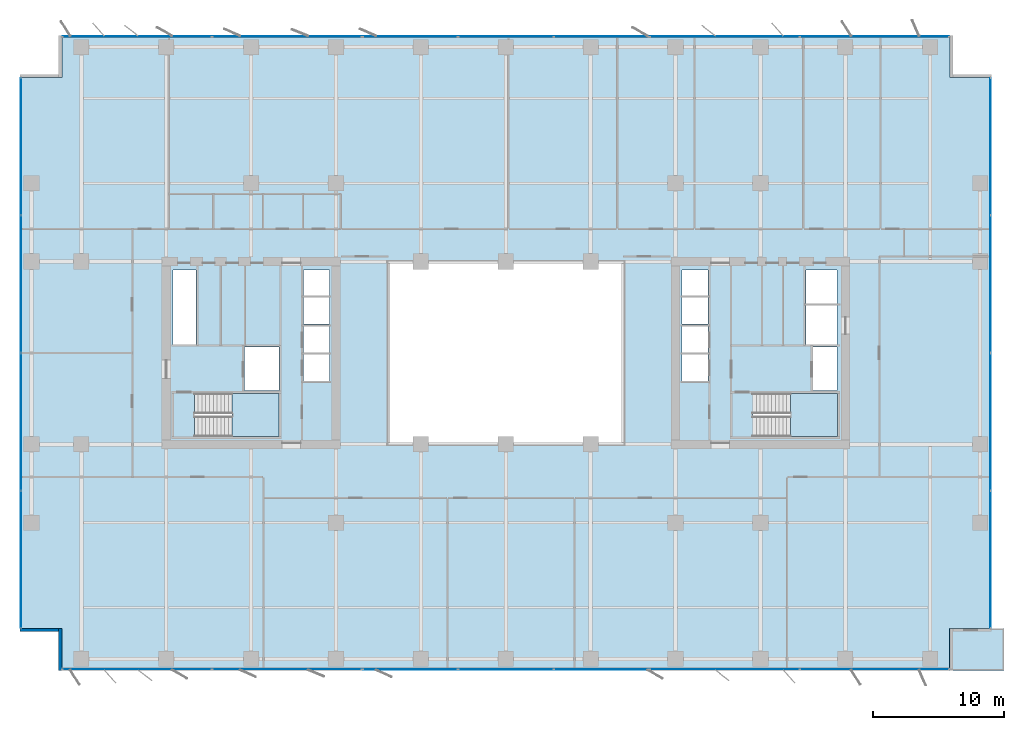
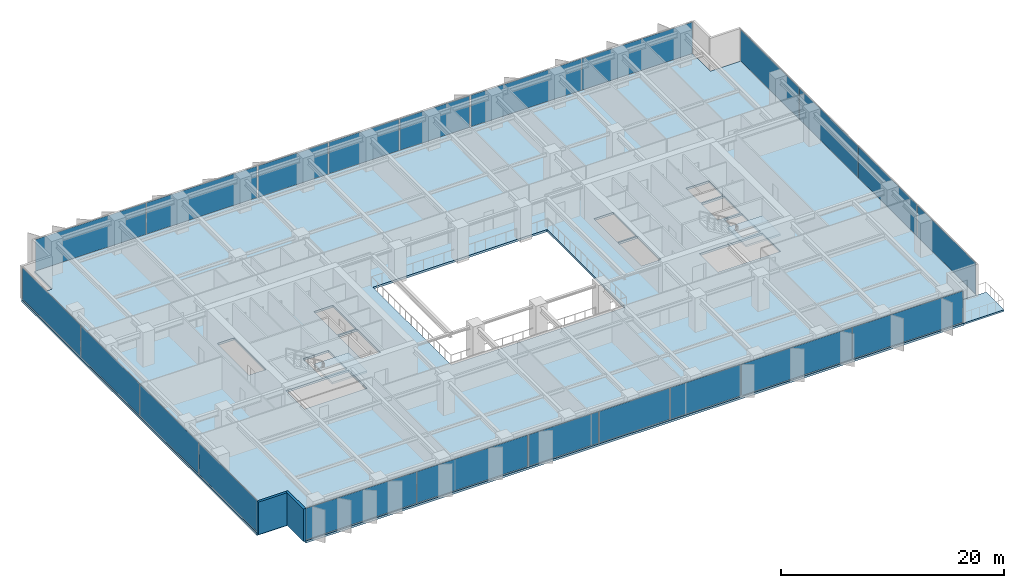
# One storey, part 12 of 20: 22 plates, 4 slabs, 2 walls, 10 elements without a shape of their own.
"""IFC4 building model written with IfcOpenShell, lengths in metres."""

from ifc_helpers import new_model, si_unit, direction, frame, frame_2d, origin, origin_2d, place, context, subcontext, project, spatial, polyline, rectangle, outline, extrude, material, layer, layer_set, type_object, element, aggregate, save


model = new_model("IFC4")

# Units and contexts
model_context = context("Model", 3, precision=1e-05, world=origin(), true_north=direction((0.0, 1.0)))
body_context = subcontext(model_context, "Body", "Model", "MODEL_VIEW")
ifc_project = project(units=[si_unit("LENGTHUNIT", "METRE"), si_unit("AREAUNIT", "SQUARE_METRE"), si_unit("VOLUMEUNIT", "CUBIC_METRE"), si_unit("PLANEANGLEUNIT", "RADIAN"), si_unit("MASSUNIT", "GRAM", prefix="KILO")], contexts=[model_context])

# Site, building, storey
site_placement = place(None, origin())
site = spatial("IfcSite", under=ifc_project, at=site_placement, CompositionType="ELEMENT")
building_placement = place(site_placement, origin())
building = spatial("IfcBuilding", under=site, at=building_placement, Name="Putna Gate Headquarters", CompositionType="ELEMENT")
storey_placement = place(building_placement, frame((0.0, 0.0, 112.60009765625)))
storey = spatial("IfcBuildingStorey", under=building, at=storey_placement, Name="L27", CompositionType="ELEMENT", Elevation=112.60009765625)

# Stair, slab
ifc_material_1 = material(Name="Concrete C40/50", Category="concrete")
stair_type_1 = type_object("IfcStairType", Name="STAIR-ST1", PredefinedType="HALF_TURN_STAIR", material=ifc_material_1)
stair_1_placement = place(storey_placement, origin())
stair_1 = element("IfcStair", 1, at=stair_1_placement, inside=storey, type_object=stair_type_1, Name="L27 West Core Exit Stair ST1", PredefinedType="HALF_TURN_STAIR")
ifc_layer_1 = layer(ifc_material_1, 0.199951171875)
ifc_layer_set_1 = layer_set([ifc_layer_1], Name="Concrete C40/50")
slab_type_1 = type_object("IfcSlabType", Name="LANDING-ST1", PredefinedType="LANDING", material=ifc_layer_set_1)
slab_1_placement = place(storey_placement, frame((0.0, 0.0, 1.699951171875)))
slab_1 = element("IfcSlab", 2, at=slab_1_placement, type_object=slab_type_1, Name="ST1 landing 1", PredefinedType="LANDING", context=body_context, shape_type="SweptSolid", body=[
    extrude(outline(polyline([(18.050048828125, 19.60009765625), (21.64990234375, 19.60009765625), (21.64990234375, 22.89990234375), (18.050048828125, 22.89990234375), (18.050048828125, 19.60009765625)])), origin(), (0.0, 0.0, 1.0), 0.199951171875),
])
aggregate(stair_1, [slab_1])

stair_type_2 = type_object("IfcStairType", Name="STAIR-ST2", PredefinedType="HALF_TURN_STAIR", material=ifc_material_1)
stair_2_placement = place(storey_placement, origin())
stair_2 = element("IfcStair", 3, at=stair_2_placement, inside=storey, type_object=stair_type_2, Name="L27 East Core Exit Stair ST2", PredefinedType="HALF_TURN_STAIR")
ifc_layer_2 = layer(ifc_material_1, 0.199951171875)
ifc_layer_set_2 = layer_set([ifc_layer_2], Name="Concrete C40/50")
slab_type_2 = type_object("IfcSlabType", Name="LANDING-ST2", PredefinedType="LANDING", material=ifc_layer_set_2)
slab_2_placement = place(storey_placement, frame((0.0, 0.0, 1.699951171875)))
slab_2 = element("IfcSlab", 4, at=slab_2_placement, type_object=slab_type_2, Name="ST2 landing 1", PredefinedType="LANDING", context=body_context, shape_type="SweptSolid", body=[
    extrude(outline(polyline([(60.800048828125, 19.60009765625), (64.39990234375, 19.60009765625), (64.39990234375, 22.89990234375), (60.800048828125, 22.89990234375), (60.800048828125, 19.60009765625)])), origin(), (0.0, 0.0, 1.0), 0.199951171875),
])
aggregate(stair_2, [slab_2])

# Curtain wall, plates
ifc_material_2 = material(Name="Anodised bronze aluminium curtain wall", Category="aluminium")
ifc_layer_3 = layer(ifc_material_2, 0.159912109375)
ifc_layer_set_3 = layer_set([ifc_layer_3], Name="Anodised bronze aluminium curtain wall")
curtain_wall_type_1 = type_object("IfcCurtainWallType", Name="CW-SYS-Z2", PredefinedType="USERDEFINED", material=ifc_layer_set_3)
curtain_wall_1_placement = place(storey_placement, origin())
curtain_wall_1 = element("IfcCurtainWall", 5, at=curtain_wall_1_placement, inside=storey, type_object=curtain_wall_type_1, Name="L27 South West Curtain Wall", ObjectType="STICK CURTAIN WALL", PredefinedType="USERDEFINED")
ifc_material_3 = material(Name="Solar-control triple low-E glass", Category="glass")
ifc_layer_4 = layer(ifc_material_3, 0.030029296875)
ifc_layer_set_4 = layer_set([ifc_layer_4], Name="Solar-control triple low-E glass")
plate_type_1 = type_object("IfcPlateType", Name="PAN-CWP-2", PredefinedType="CURTAIN_PANEL", material=ifc_layer_set_4)
plate_1_placement = place(storey_placement, frame((10.766357421875, 1.780029296875, 0.06494140625), z_axis=(0.0, 0.0, 1.0), x_axis=(1.0, 0.0, 0.0)))
plate_1 = element("IfcPlate", 6, at=plate_1_placement, type_object=plate_type_1, Name="CWS-2 panel 1.1", PredefinedType="CURTAIN_PANEL", context=body_context, shape_type="SweptSolid", body=[
    extrude(rectangle(XDim=11.402587890625, YDim=0.030029296875, at=origin_2d()), origin(), (0.0, 0.0, 1.0), 3.43505859375),
])
plate_2_placement = place(storey_placement, frame((22.233642578125, 1.780029296875, 0.06494140625), z_axis=(0.0, 0.0, 1.0), x_axis=(1.0, 0.0, 0.0)))
plate_2 = element("IfcPlate", 7, at=plate_2_placement, type_object=plate_type_1, Name="CWS-2 panel 2.1", PredefinedType="CURTAIN_PANEL", context=body_context, shape_type="SweptSolid", body=[
    extrude(rectangle(XDim=11.402587890625, YDim=0.030029296875, at=origin_2d()), origin(), (0.0, 0.0, 1.0), 3.43505859375),
])
aggregate(curtain_wall_1, [plate_1, plate_2])

curtain_wall_2_placement = place(storey_placement, origin())
curtain_wall_2 = element("IfcCurtainWall", 8, at=curtain_wall_2_placement, inside=storey, type_object=curtain_wall_type_1, Name="L27 South East Curtain Wall", ObjectType="STICK CURTAIN WALL", PredefinedType="USERDEFINED")
plate_3_placement = place(storey_placement, frame((55.766357421875, 1.780029296875, 0.06494140625), z_axis=(0.0, 0.0, 1.0), x_axis=(1.0, 0.0, 0.0)))
plate_3 = element("IfcPlate", 9, at=plate_3_placement, type_object=plate_type_1, Name="CWS-2 panel 1.1", PredefinedType="CURTAIN_PANEL", context=body_context, shape_type="SweptSolid", body=[
    extrude(rectangle(XDim=11.402587890625, YDim=0.030029296875, at=origin_2d()), origin(), (0.0, 0.0, 1.0), 3.43505859375),
])
plate_4_placement = place(storey_placement, frame((67.233642578125, 1.780029296875, 0.06494140625), z_axis=(0.0, 0.0, 1.0), x_axis=(1.0, 0.0, 0.0)))
plate_4 = element("IfcPlate", 10, at=plate_4_placement, type_object=plate_type_1, Name="CWS-2 panel 2.1", PredefinedType="CURTAIN_PANEL", context=body_context, shape_type="SweptSolid", body=[
    extrude(rectangle(XDim=11.402587890625, YDim=0.030029296875, at=origin_2d()), origin(), (0.0, 0.0, 1.0), 3.43505859375),
])
aggregate(curtain_wall_2, [plate_3, plate_4])

curtain_wall_3_placement = place(storey_placement, origin())
curtain_wall_3 = element("IfcCurtainWall", 11, at=curtain_wall_3_placement, inside=storey, type_object=curtain_wall_type_1, Name="L27 North West Curtain Wall", ObjectType="STICK CURTAIN WALL", PredefinedType="USERDEFINED")
plate_5_placement = place(storey_placement, frame((10.766357421875, 50.219970703125, 0.06494140625), z_axis=(0.0, 0.0, 1.0), x_axis=(1.0, 0.0, 0.0)))
plate_5 = element("IfcPlate", 12, at=plate_5_placement, type_object=plate_type_1, Name="CWS-2 panel 1.1", PredefinedType="CURTAIN_PANEL", context=body_context, shape_type="SweptSolid", body=[
    extrude(rectangle(XDim=11.402587890625, YDim=0.030029296875, at=origin_2d()), origin(), (0.0, 0.0, 1.0), 3.43505859375),
])
plate_6_placement = place(storey_placement, frame((22.233642578125, 50.219970703125, 0.06494140625), z_axis=(0.0, 0.0, 1.0), x_axis=(1.0, 0.0, 0.0)))
plate_6 = element("IfcPlate", 13, at=plate_6_placement, type_object=plate_type_1, Name="CWS-2 panel 2.1", PredefinedType="CURTAIN_PANEL", context=body_context, shape_type="SweptSolid", body=[
    extrude(rectangle(XDim=11.402587890625, YDim=0.030029296875, at=origin_2d()), origin(), (0.0, 0.0, 1.0), 3.43505859375),
])
aggregate(curtain_wall_3, [plate_5, plate_6])

curtain_wall_4_placement = place(storey_placement, origin())
curtain_wall_4 = element("IfcCurtainWall", 14, at=curtain_wall_4_placement, inside=storey, type_object=curtain_wall_type_1, Name="L27 North East Curtain Wall", ObjectType="STICK CURTAIN WALL", PredefinedType="USERDEFINED")
plate_7_placement = place(storey_placement, frame((55.766357421875, 50.219970703125, 0.06494140625), z_axis=(0.0, 0.0, 1.0), x_axis=(1.0, 0.0, 0.0)))
plate_7 = element("IfcPlate", 15, at=plate_7_placement, type_object=plate_type_1, Name="CWS-2 panel 1.1", PredefinedType="CURTAIN_PANEL", context=body_context, shape_type="SweptSolid", body=[
    extrude(rectangle(XDim=11.402587890625, YDim=0.030029296875, at=origin_2d()), origin(), (0.0, 0.0, 1.0), 3.43505859375),
])
plate_8_placement = place(storey_placement, frame((67.233642578125, 50.219970703125, 0.06494140625), z_axis=(0.0, 0.0, 1.0), x_axis=(1.0, 0.0, 0.0)))
plate_8 = element("IfcPlate", 16, at=plate_8_placement, type_object=plate_type_1, Name="CWS-2 panel 2.1", PredefinedType="CURTAIN_PANEL", context=body_context, shape_type="SweptSolid", body=[
    extrude(rectangle(XDim=11.402587890625, YDim=0.030029296875, at=origin_2d()), origin(), (0.0, 0.0, 1.0), 3.43505859375),
])
aggregate(curtain_wall_4, [plate_7, plate_8])

curtain_wall_5_placement = place(storey_placement, origin())
curtain_wall_5 = element("IfcCurtainWall", 17, at=curtain_wall_5_placement, inside=storey, type_object=curtain_wall_type_1, Name="L27 West Curtain Wall", ObjectType="STICK CURTAIN WALL", PredefinedType="USERDEFINED")
plate_9_placement = place(storey_placement, frame((1.8798828125, 10.191162109375, 0.06494140625), z_axis=(0.0, 0.0, 1.0), x_axis=(0.0, 1.0, 0.0)))
plate_9 = element("IfcPlate", 18, at=plate_9_placement, type_object=plate_type_1, Name="CWS-2 panel 1.1", PredefinedType="CURTAIN_PANEL", context=body_context, shape_type="SweptSolid", body=[
    extrude(rectangle(XDim=10.452392578125, YDim=0.030029296875, at=origin_2d()), origin(), (0.0, 0.0, 1.0), 3.43505859375),
])
plate_10_placement = place(storey_placement, frame((1.8798828125, 20.72509765625, 0.06494140625), z_axis=(0.0, 0.0, 1.0), x_axis=(0.0, 1.0, 0.0)))
plate_10 = element("IfcPlate", 19, at=plate_10_placement, type_object=plate_type_1, Name="CWS-2 panel 2.1", PredefinedType="CURTAIN_PANEL", context=body_context, shape_type="SweptSolid", body=[
    extrude(rectangle(XDim=10.485107421875, YDim=0.030029296875, at=origin_2d()), origin(), (0.0, 0.0, 1.0), 3.43505859375),
])
plate_11_placement = place(storey_placement, frame((1.8798828125, 31.27490234375, 0.06494140625), z_axis=(0.0, 0.0, 1.0), x_axis=(0.0, 1.0, 0.0)))
plate_11 = element("IfcPlate", 20, at=plate_11_placement, type_object=plate_type_1, Name="CWS-2 panel 3.1", PredefinedType="CURTAIN_PANEL", context=body_context, shape_type="SweptSolid", body=[
    extrude(rectangle(XDim=10.485107421875, YDim=0.030029296875, at=origin_2d()), origin(), (0.0, 0.0, 1.0), 3.43505859375),
])
plate_12_placement = place(storey_placement, frame((1.8798828125, 41.808837890625, 0.06494140625), z_axis=(0.0, 0.0, 1.0), x_axis=(0.0, 1.0, 0.0)))
plate_12 = element("IfcPlate", 21, at=plate_12_placement, type_object=plate_type_1, Name="CWS-2 panel 4.1", PredefinedType="CURTAIN_PANEL", context=body_context, shape_type="SweptSolid", body=[
    extrude(rectangle(XDim=10.452392578125, YDim=0.030029296875, at=origin_2d()), origin(), (0.0, 0.0, 1.0), 3.43505859375),
])
aggregate(curtain_wall_5, [plate_9, plate_10, plate_11, plate_12])

curtain_wall_6_placement = place(storey_placement, origin())
curtain_wall_6 = element("IfcCurtainWall", 22, at=curtain_wall_6_placement, inside=storey, type_object=curtain_wall_type_1, Name="L27 East Curtain Wall", ObjectType="STICK CURTAIN WALL", PredefinedType="USERDEFINED")
plate_13_placement = place(storey_placement, frame((76.1201171875, 10.191162109375, 0.06494140625), z_axis=(0.0, 0.0, 1.0), x_axis=(0.0, 1.0, 0.0)))
plate_13 = element("IfcPlate", 23, at=plate_13_placement, type_object=plate_type_1, Name="CWS-2 panel 1.1", PredefinedType="CURTAIN_PANEL", context=body_context, shape_type="SweptSolid", body=[
    extrude(rectangle(XDim=10.452392578125, YDim=0.030029296875, at=origin_2d()), origin(), (0.0, 0.0, 1.0), 3.43505859375),
])
plate_14_placement = place(storey_placement, frame((76.1201171875, 20.72509765625, 0.06494140625), z_axis=(0.0, 0.0, 1.0), x_axis=(0.0, 1.0, 0.0)))
plate_14 = element("IfcPlate", 24, at=plate_14_placement, type_object=plate_type_1, Name="CWS-2 panel 2.1", PredefinedType="CURTAIN_PANEL", context=body_context, shape_type="SweptSolid", body=[
    extrude(rectangle(XDim=10.485107421875, YDim=0.030029296875, at=origin_2d()), origin(), (0.0, 0.0, 1.0), 3.43505859375),
])
plate_15_placement = place(storey_placement, frame((76.1201171875, 31.27490234375, 0.06494140625), z_axis=(0.0, 0.0, 1.0), x_axis=(0.0, 1.0, 0.0)))
plate_15 = element("IfcPlate", 25, at=plate_15_placement, type_object=plate_type_1, Name="CWS-2 panel 3.1", PredefinedType="CURTAIN_PANEL", context=body_context, shape_type="SweptSolid", body=[
    extrude(rectangle(XDim=10.485107421875, YDim=0.030029296875, at=origin_2d()), origin(), (0.0, 0.0, 1.0), 3.43505859375),
])
plate_16_placement = place(storey_placement, frame((76.1201171875, 41.808837890625, 0.06494140625), z_axis=(0.0, 0.0, 1.0), x_axis=(0.0, 1.0, 0.0)))
plate_16 = element("IfcPlate", 26, at=plate_16_placement, type_object=plate_type_1, Name="CWS-2 panel 4.1", PredefinedType="CURTAIN_PANEL", context=body_context, shape_type="SweptSolid", body=[
    extrude(rectangle(XDim=10.452392578125, YDim=0.030029296875, at=origin_2d()), origin(), (0.0, 0.0, 1.0), 3.43505859375),
])
aggregate(curtain_wall_6, [plate_13, plate_14, plate_15, plate_16])

ifc_layer_5 = layer(ifc_material_2, 0.179931640625)
ifc_layer_set_5 = layer_set([ifc_layer_5], Name="Anodised bronze aluminium curtain wall")
curtain_wall_type_2 = type_object("IfcCurtainWallType", Name="CW-SYS-ATR", PredefinedType="USERDEFINED", material=ifc_layer_set_5)
curtain_wall_7_placement = place(storey_placement, origin())
curtain_wall_7 = element("IfcCurtainWall", 27, at=curtain_wall_7_placement, inside=storey, type_object=curtain_wall_type_2, Name="L27 South Atrium Clear Glazing", ObjectType="ATRIUM GLAZING", PredefinedType="USERDEFINED")
ifc_material_4 = material(Name="Clear low-iron triple glazing", Category="glass")
ifc_layer_6 = layer(ifc_material_4, 0.0400390625)
ifc_layer_set_6 = layer_set([ifc_layer_6], Name="Clear low-iron triple glazing")
plate_type_2 = type_object("IfcPlateType", Name="PAN-CWP-AT", PredefinedType="CURTAIN_PANEL", material=ifc_layer_set_6)
plate_17_placement = place(storey_placement, frame((31.68408203125, 1.780029296875, 0.06982421875), z_axis=(0.0, 0.0, 1.0), x_axis=(1.0, 0.0, 0.0)))
plate_17 = element("IfcPlate", 28, at=plate_17_placement, type_object=plate_type_2, Name="CWS-AT panel 1.1", PredefinedType="CURTAIN_PANEL", context=body_context, shape_type="SweptSolid", body=[
    extrude(rectangle(XDim=7.228271484375, YDim=0.0400390625, at=origin_2d()), origin(), (0.0, 0.0, 1.0), 3.425048828125),
])
plate_18_placement = place(storey_placement, frame((39.0, 1.780029296875, 0.06982421875), z_axis=(0.0, 0.0, 1.0), x_axis=(1.0, 0.0, 0.0)))
plate_18 = element("IfcPlate", 29, at=plate_18_placement, type_object=plate_type_2, Name="CWS-AT panel 2.1", PredefinedType="CURTAIN_PANEL", context=body_context, shape_type="SweptSolid", body=[
    extrude(rectangle(XDim=7.263427734375, YDim=0.0400390625, at=origin_2d()), origin(), (0.0, 0.0, 1.0), 3.425048828125),
])
plate_19_placement = place(storey_placement, frame((46.31591796875, 1.780029296875, 0.06982421875), z_axis=(0.0, 0.0, 1.0), x_axis=(1.0, 0.0, 0.0)))
plate_19 = element("IfcPlate", 30, at=plate_19_placement, type_object=plate_type_2, Name="CWS-AT panel 3.1", PredefinedType="CURTAIN_PANEL", context=body_context, shape_type="SweptSolid", body=[
    extrude(rectangle(XDim=7.228271484375, YDim=0.0400390625, at=origin_2d()), origin(), (0.0, 0.0, 1.0), 3.425048828125),
])
aggregate(curtain_wall_7, [plate_17, plate_18, plate_19])

curtain_wall_8_placement = place(storey_placement, origin())
curtain_wall_8 = element("IfcCurtainWall", 31, at=curtain_wall_8_placement, inside=storey, type_object=curtain_wall_type_2, Name="L27 North Atrium Clear Glazing", ObjectType="ATRIUM GLAZING", PredefinedType="USERDEFINED")
plate_20_placement = place(storey_placement, frame((31.68408203125, 50.219970703125, 0.06982421875), z_axis=(0.0, 0.0, 1.0), x_axis=(1.0, 0.0, 0.0)))
plate_20 = element("IfcPlate", 32, at=plate_20_placement, type_object=plate_type_2, Name="CWS-AT panel 1.1", PredefinedType="CURTAIN_PANEL", context=body_context, shape_type="SweptSolid", body=[
    extrude(rectangle(XDim=7.228271484375, YDim=0.0400390625, at=origin_2d()), origin(), (0.0, 0.0, 1.0), 3.425048828125),
])
plate_21_placement = place(storey_placement, frame((39.0, 50.219970703125, 0.06982421875), z_axis=(0.0, 0.0, 1.0), x_axis=(1.0, 0.0, 0.0)))
plate_21 = element("IfcPlate", 33, at=plate_21_placement, type_object=plate_type_2, Name="CWS-AT panel 2.1", PredefinedType="CURTAIN_PANEL", context=body_context, shape_type="SweptSolid", body=[
    extrude(rectangle(XDim=7.263427734375, YDim=0.0400390625, at=origin_2d()), origin(), (0.0, 0.0, 1.0), 3.425048828125),
])
plate_22_placement = place(storey_placement, frame((46.31591796875, 50.219970703125, 0.06982421875), z_axis=(0.0, 0.0, 1.0), x_axis=(1.0, 0.0, 0.0)))
plate_22 = element("IfcPlate", 34, at=plate_22_placement, type_object=plate_type_2, Name="CWS-AT panel 3.1", PredefinedType="CURTAIN_PANEL", context=body_context, shape_type="SweptSolid", body=[
    extrude(rectangle(XDim=7.228271484375, YDim=0.0400390625, at=origin_2d()), origin(), (0.0, 0.0, 1.0), 3.425048828125),
])
aggregate(curtain_wall_8, [plate_20, plate_21, plate_22])

# Slabs
ifc_layer_7 = layer(ifc_material_1, 0.179931640625)
ifc_layer_set_7 = layer_set([ifc_layer_7], Name="Concrete C40/50")
slab_type_3 = type_object("IfcSlabType", Name="SLAB-TERRACE-180", PredefinedType="FLOOR", material=ifc_layer_set_7)
slab_3_placement = place(storey_placement, frame((0.0, 0.0, -0.18017578125)))
element("IfcSlab", 35, at=slab_3_placement, inside=storey, type_object=slab_type_3, Name="L27 Spiral Sky-Garden Terrace Slab (SE)", PredefinedType="FLOOR", context=body_context, shape_type="SweptSolid", body=[
    extrude(outline(polyline([(72.991943359375, 1.699951171875), (77.14990234375, 1.699951171875), (77.14990234375, 4.907958984375), (72.991943359375, 4.907958984375), (72.991943359375, 1.699951171875)])), origin(), (0.0, 0.0, 1.0), 0.18017578125),
])
ifc_layer_8 = layer(ifc_material_1, 0.235107421875)
ifc_layer_set_8 = layer_set([ifc_layer_8], Name="Concrete C40/50")
slab_type_4 = type_object("IfcSlabType", Name="SLAB-Z2-235", PredefinedType="FLOOR", material=ifc_layer_set_8)
slab_4_placement = place(storey_placement, frame((0.0, 0.0, -0.235107421875)))
element("IfcSlab", 36, at=slab_4_placement, inside=storey, type_object=slab_type_4, Name="L27 Composite Floor Slab", PredefinedType="FLOOR", context=body_context, shape_type="SweptSolid", body=[
    extrude(outline(polyline([(5.0, 1.699951171875), (73.0, 1.699951171875), (73.0, 4.89990234375), (76.199951171875, 4.89990234375), (76.199951171875, 47.10009765625), (73.0, 47.10009765625), (73.0, 50.300048828125), (5.0, 50.300048828125), (5.0, 47.10009765625), (1.800048828125, 47.10009765625), (1.800048828125, 4.89990234375), (5.0, 4.89990234375), (5.0, 1.699951171875)]), holes=[polyline([(15.1650390625, 19.60009765625), (21.64990234375, 19.60009765625), (21.64990234375, 22.89990234375), (15.1650390625, 22.89990234375), (15.1650390625, 19.60009765625)]), polyline([(57.9150390625, 19.60009765625), (64.39990234375, 19.60009765625), (64.39990234375, 22.89990234375), (57.9150390625, 22.89990234375), (57.9150390625, 19.60009765625)]), polyline([(13.52001953125, 26.659912109375), (15.280029296875, 26.659912109375), (15.280029296875, 32.35009765625), (13.52001953125, 32.35009765625), (13.52001953125, 26.659912109375)]), polyline([(61.969970703125, 29.780029296875), (64.35009765625, 29.780029296875), (64.35009765625, 32.35009765625), (61.969970703125, 32.35009765625), (61.969970703125, 29.780029296875)]), polyline([(18.97998046875, 23.1201171875), (21.6201171875, 23.1201171875), (21.6201171875, 26.4599609375), (18.97998046875, 26.4599609375), (18.97998046875, 23.1201171875)]), polyline([(62.52001953125, 23.1201171875), (64.35009765625, 23.1201171875), (64.35009765625, 26.4599609375), (62.52001953125, 26.4599609375), (62.52001953125, 23.1201171875)]), polyline([(61.969970703125, 26.659912109375), (64.35009765625, 26.659912109375), (64.35009765625, 29.6201171875), (61.969970703125, 29.6201171875), (61.969970703125, 26.659912109375)]), polyline([(23.5, 23.860107421875), (25.5, 23.860107421875), (25.5, 28.0400390625), (23.5, 28.0400390625), (23.5, 23.860107421875)]), polyline([(52.47998046875, 23.860107421875), (54.5, 23.860107421875), (54.5, 28.0400390625), (52.47998046875, 28.0400390625), (52.47998046875, 23.860107421875)]), polyline([(23.5, 28.199951171875), (25.5, 28.199951171875), (25.5, 32.35009765625), (23.5, 32.35009765625), (23.5, 28.199951171875)]), polyline([(52.47998046875, 28.199951171875), (54.5, 28.199951171875), (54.5, 32.35009765625), (52.47998046875, 32.35009765625), (52.47998046875, 28.199951171875)]), polyline([(30.0, 19.0), (48.0, 19.0), (48.0, 33.0), (30.0, 33.0), (30.0, 19.0)])]), origin(), (0.0, 0.0, 1.0), 0.235107421875),
])

# Walls
ifc_material_5 = material(Name="Precast concrete C40/50", Category="concrete")
ifc_layer_9 = layer(ifc_material_5, 0.239990234375)
ifc_layer_set_9 = layer_set([ifc_layer_9], Name="Precast concrete C40/50")
wall_type = type_object("IfcWallType", Name="WALL-EXT-TERR-240", PredefinedType="STANDARD", material=ifc_layer_set_9)
for number, where, z_axis, x_axis, name in (
    (37, (4.8798828125, 1.699951171875, 0.0), (0.0, 0.0, 1.0), (0.0, 1.0, 0.0), "L27 Corner Notch Return Wall SW-V"),
    (38, (5.0, 4.780029296875, 0.0), (0.0, 0.0, 1.0), (-1.0, 0.0, 0.0), "L27 Corner Notch Return Wall SW-H"),
):
    element("IfcWall", number, at=place(storey_placement, frame(where, z_axis=z_axis, x_axis=x_axis)), inside=storey, type_object=wall_type, Name=name, PredefinedType="STANDARD", context=body_context, shape_type="SweptSolid", body=[
        extrude(rectangle(XDim=3.199951171875, YDim=0.239990234375, at=frame_2d((1.60009765625, 0.0))), origin(), (0.0, 0.0, 1.0), 3.56494140625),
    ])

save(model, "model.ifc")
